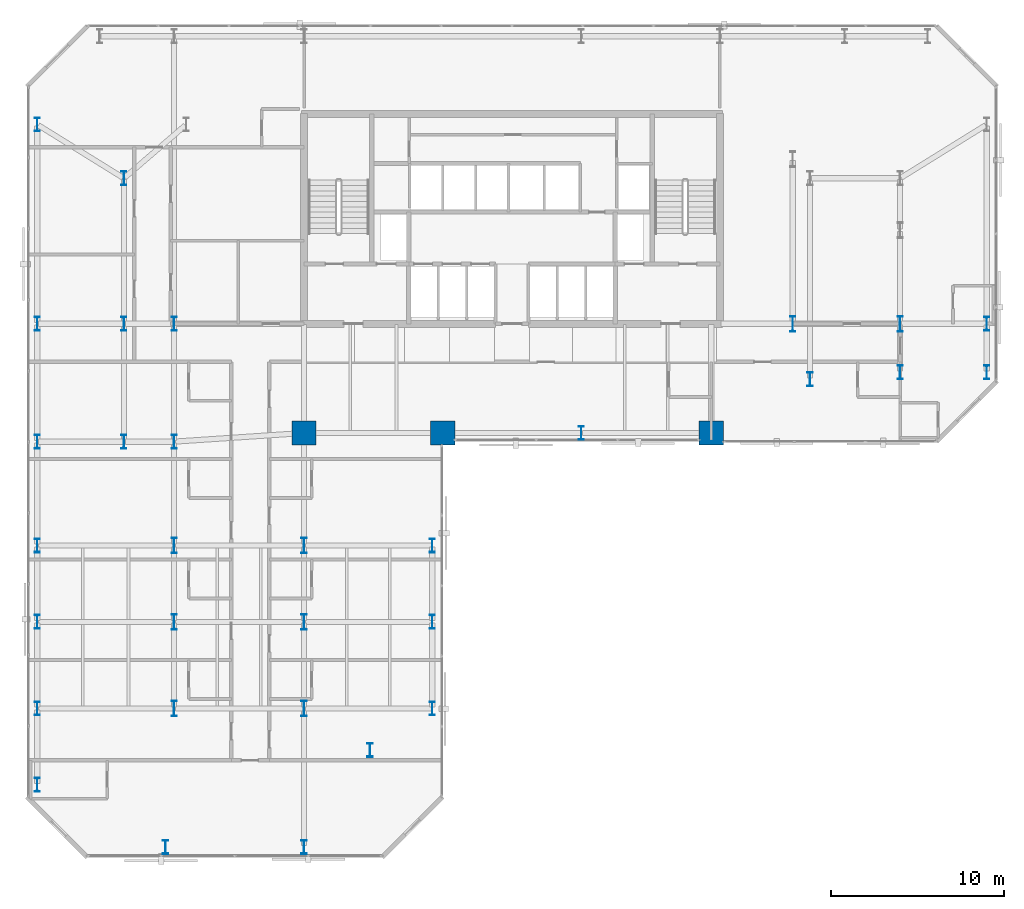
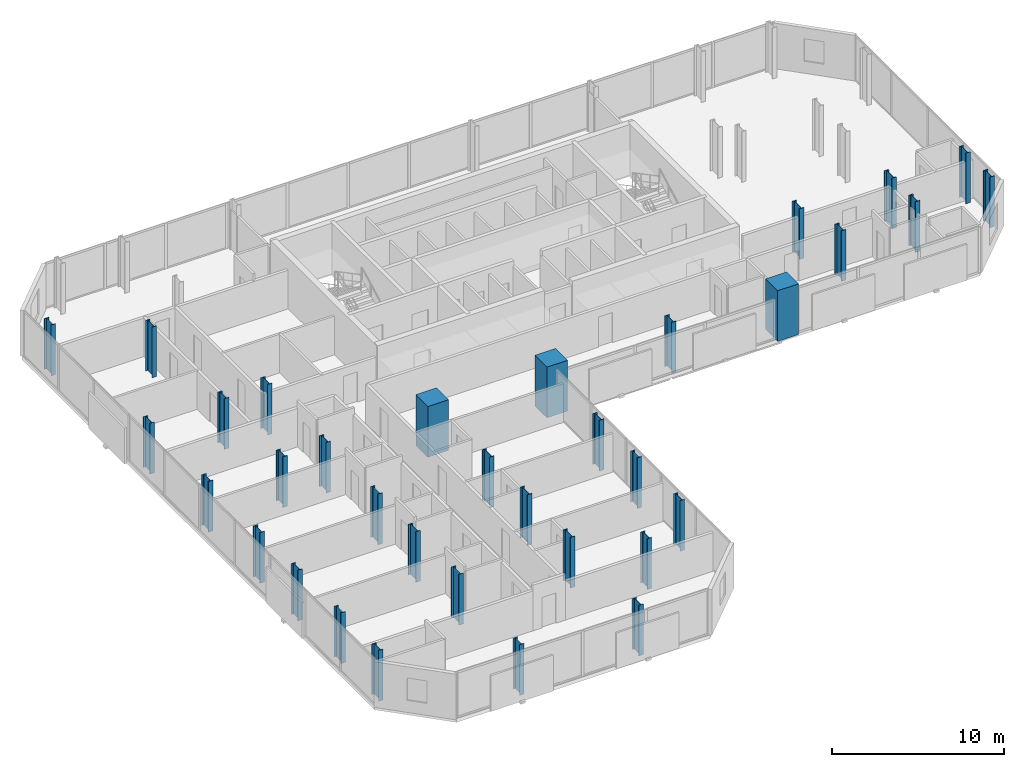
# One storey, part 1 of 33: 34 columns.
"""IFC4 building model written with IfcOpenShell, lengths in metres."""

from ifc_helpers import new_model, si_unit, direction, frame, origin, origin_2d, place, context, subcontext, project, spatial, rectangle, i_section, extrude, material, material_profile, profile_set, type_object, element, save


model = new_model("IFC4")

# Units and contexts
model_context = context("Model", 3, precision=1e-05, world=origin(), true_north=direction((0.0, 1.0)))
body_context = subcontext(model_context, "Body", "Model", "MODEL_VIEW")
ifc_project = project(units=[si_unit("LENGTHUNIT", "METRE"), si_unit("AREAUNIT", "SQUARE_METRE"), si_unit("VOLUMEUNIT", "CUBIC_METRE"), si_unit("PLANEANGLEUNIT", "RADIAN"), si_unit("MASSUNIT", "GRAM", prefix="KILO")], contexts=[model_context])

# Site, building, storey
site_placement = place(None, origin())
site = spatial("IfcSite", under=ifc_project, at=site_placement, CompositionType="ELEMENT")
building_placement = place(site_placement, origin())
building = spatial("IfcBuilding", under=site, at=building_placement, Name="Catumbela Crestline Tower", CompositionType="ELEMENT")
storey_placement = place(building_placement, frame((0.0, 0.0, 76.2)))
storey = spatial("IfcBuildingStorey", under=building, at=storey_placement, Name="L19", CompositionType="ELEMENT", Elevation=76.2)

# Columns
ifc_material_1 = material(Name="Concrete C60/75", Category="concrete")
ifc_material_profile_1 = material_profile(ifc_material_1, rectangle(XDim=1.4, YDim=1.4, at=origin_2d()), Name="RC 1400x1400")
ifc_profile_set_1 = profile_set([ifc_material_profile_1], Name="Concrete C60/75")
column_type_1 = type_object("IfcColumnType", Name="C-RC1400-C60", PredefinedType="COLUMN", material=ifc_profile_set_1)
for number, where, z_axis, x_axis, name in (
    (1, (16.0, 24.5, 0.0), (0.0, 0.0, 1.0), (1.0, 0.0, 0.0), "L19 Column C-16-24 (RC 1400x1400)"),
    (2, (24.0, 24.5, 0.0), (0.0, 0.0, 1.0), (1.0, 0.0, 0.0), "L19 Column C-24-24 (RC 1400x1400)"),
    (3, (39.5, 24.5, 0.0), (0.0, 0.0, 1.0), (1.0, 0.0, 0.0), "L19 Column C-40-24 (RC 1400x1400)"),
):
    element("IfcColumn", number, at=place(storey_placement, frame(where, z_axis=z_axis, x_axis=x_axis)), inside=storey, type_object=column_type_1, Name=name, PredefinedType="COLUMN", context=body_context, shape_type="SweptSolid", body=[
        extrude(rectangle(XDim=1.4, YDim=1.4, at=origin_2d()), origin(), (0.0, 0.0, 1.0), 3.6),
    ])
ifc_material_2 = material(Name="Structural steel S460M", Category="steel")
ifc_material_profile_2 = material_profile(ifc_material_2, i_section(OverallWidth=0.3, OverallDepth=0.8, WebThickness=0.0175, FlangeThickness=0.033, FilletRadius=0.03, at=origin_2d()), Name="HEB 800")
ifc_profile_set_2 = profile_set([ifc_material_profile_2], Name="Structural steel S460M")
column_type_2 = type_object("IfcColumnType", Name="C-ST-HEB800", PredefinedType="COLUMN", material=ifc_profile_set_2)
for number, where, z_axis, x_axis, name in (
    (4, (8.5, 24.0, 0.0), (0.0, 0.0, 1.0), (1.0, 0.0, 0.0), "L19 Column C-08-24 (HEB 800)"),
    (5, (32.0, 24.5, 0.0), (0.0, 0.0, 1.0), (1.0, 0.0, 0.0), "L19 Column C-32-24 (HEB 800)"),
    (6, (5.6, 24.0, 0.0), (0.0, 0.0, 1.0), (1.0, 0.0, 0.0), "L19 Column C-05-24 (HEB 800)"),
    (7, (5.6, 30.8, 0.0), (0.0, 0.0, 1.0), (1.0, 0.0, 0.0), "L19 Column C-05-31 (HEB 800)"),
    (8, (5.6, 39.2, 0.0), (0.0, 0.0, 1.0), (1.0, 0.0, 0.0), "L19 Column C-05-43 (HEB 800)"),
    (9, (8.5, 30.8, 0.0), (0.0, 0.0, 1.0), (1.0, 0.0, 0.0), "L19 Column C-08-31 (HEB 800)"),
    (10, (45.2, 27.6, 0.0), (0.0, 0.0, 1.0), (1.0, 0.0, 0.0), "L19 Column C-46-24 (HEB 800)"),
    (11, (0.6, 24.0, 0.0), (0.0, 0.0, 1.0), (1.0, 0.0, 0.0), "L19 Column C-00-24 (HEB 800)"),
    (12, (0.6, 30.8, 0.0), (0.0, 0.0, 1.0), (1.0, 0.0, 0.0), "L19 Column C-00-31 (HEB 800)"),
    (13, (0.6, 42.3, 0.0), (0.0, 0.0, 1.0), (1.0, 0.0, 0.0), "L19 Column C-00-43 (HEB 800)"),
    (14, (50.4, 28.0, 0.0), (0.0, 0.0, 1.0), (1.0, 0.0, 0.0), "L19 Column C-51-24 (HEB 800)"),
    (15, (55.4, 28.0, 0.0), (0.0, 0.0, 1.0), (1.0, 0.0, 0.0), "L19 Column C-56-24 (HEB 800)"),
    (16, (55.4, 30.8, 0.0), (0.0, 0.0, 1.0), (1.0, 0.0, 0.0), "L19 Column C-56-31 (HEB 800)"),
    (17, (0.6, 8.6, 0.0), (0.0, 0.0, 1.0), (1.0, 0.0, 0.0), "L19 Column C-00-05 (HEB 800)"),
    (18, (0.6, 13.6, 0.0), (0.0, 0.0, 1.0), (1.0, 0.0, 0.0), "L19 Column C-00-10 (HEB 800)"),
    (19, (0.6, 18.0, 0.0), (0.0, 0.0, 1.0), (1.0, 0.0, 0.0), "L19 Column C-00-16 (HEB 800)"),
    (20, (0.6, 4.2, 0.0), (0.0, 0.0, 1.0), (1.0, 0.0, 0.0), "L19 Column C-00-03 (HEB 800)"),
    (21, (8.0, 0.6, 0.0), (0.0, 0.0, 1.0), (1.0, 0.0, 0.0), "L19 Column C-08-00 (HEB 800)"),
    (22, (16.0, 0.6, 0.0), (0.0, 0.0, 1.0), (1.0, 0.0, 0.0), "L19 Column C-16-00 (HEB 800)"),
    (23, (19.8, 6.2, 0.0), (0.0, 0.0, 1.0), (1.0, 0.0, 0.0), "L19 Column C-24-05 (HEB 800)"),
    (24, (23.4, 8.6, 0.0), (0.0, 0.0, 1.0), (1.0, 0.0, 0.0), "L19 Column C-23-08 (HEB 800)"),
    (25, (23.4, 13.6, 0.0), (0.0, 0.0, 1.0), (1.0, 0.0, 0.0), "L19 Column C-24-10 (HEB 800)"),
    (26, (23.4, 18.0, 0.0), (0.0, 0.0, 1.0), (1.0, 0.0, 0.0), "L19 Column C-24-16 (HEB 800)"),
):
    element("IfcColumn", number, at=place(storey_placement, frame(where, z_axis=z_axis, x_axis=x_axis)), inside=storey, type_object=column_type_2, Name=name, PredefinedType="COLUMN", context=body_context, shape_type="SweptSolid", body=[
        extrude(i_section(OverallWidth=0.3, OverallDepth=0.8, WebThickness=0.0175, FlangeThickness=0.033, FilletRadius=0.03, at=origin_2d()), origin(), (0.0, 0.0, 1.0), 3.6),
    ])
ifc_material_profile_3 = material_profile(ifc_material_2, i_section(OverallWidth=0.3, OverallDepth=0.9, WebThickness=0.0185, FlangeThickness=0.035, FilletRadius=0.03, at=origin_2d()), Name="HEB 900")
ifc_profile_set_3 = profile_set([ifc_material_profile_3], Name="Structural steel S460M")
column_type_3 = type_object("IfcColumnType", Name="C-ST-HEB900", PredefinedType="COLUMN", material=ifc_profile_set_3)
for number, where, z_axis, x_axis, name in (
    (27, (8.5, 8.6, 0.0), (0.0, 0.0, 1.0), (1.0, 0.0, 0.0), "L19 Column CT-05-05 (HEB 900)"),
    (28, (16.0, 8.6, 0.0), (0.0, 0.0, 1.0), (1.0, 0.0, 0.0), "L19 Column CT-14-05 (HEB 900)"),
    (29, (8.5, 13.6, 0.0), (0.0, 0.0, 1.0), (1.0, 0.0, 0.0), "L19 Column CT-05-10 (HEB 900)"),
    (30, (16.0, 13.6, 0.0), (0.0, 0.0, 1.0), (1.0, 0.0, 0.0), "L19 Column CT-14-10 (HEB 900)"),
    (31, (8.5, 18.0, 0.0), (0.0, 0.0, 1.0), (1.0, 0.0, 0.0), "L19 Column CT-05-16 (HEB 900)"),
    (32, (16.0, 18.0, 0.0), (0.0, 0.0, 1.0), (1.0, 0.0, 0.0), "L19 Column CT-14-16 (HEB 900)"),
    (33, (44.2, 30.8, 0.0), (0.0, 0.0, 1.0), (1.0, 0.0, 0.0), "L19 Column CT-46-31 (HEB 900)"),
    (34, (50.4, 30.8, 0.0), (0.0, 0.0, 1.0), (1.0, 0.0, 0.0), "L19 Column CT-51-31 (HEB 900)"),
):
    element("IfcColumn", number, at=place(storey_placement, frame(where, z_axis=z_axis, x_axis=x_axis)), inside=storey, type_object=column_type_3, Name=name, PredefinedType="COLUMN", context=body_context, shape_type="SweptSolid", body=[
        extrude(i_section(OverallWidth=0.3, OverallDepth=0.9, WebThickness=0.0185, FlangeThickness=0.035, FilletRadius=0.03, at=origin_2d()), origin(), (0.0, 0.0, 1.0), 3.6),
    ])

save(model, "model.ifc")
